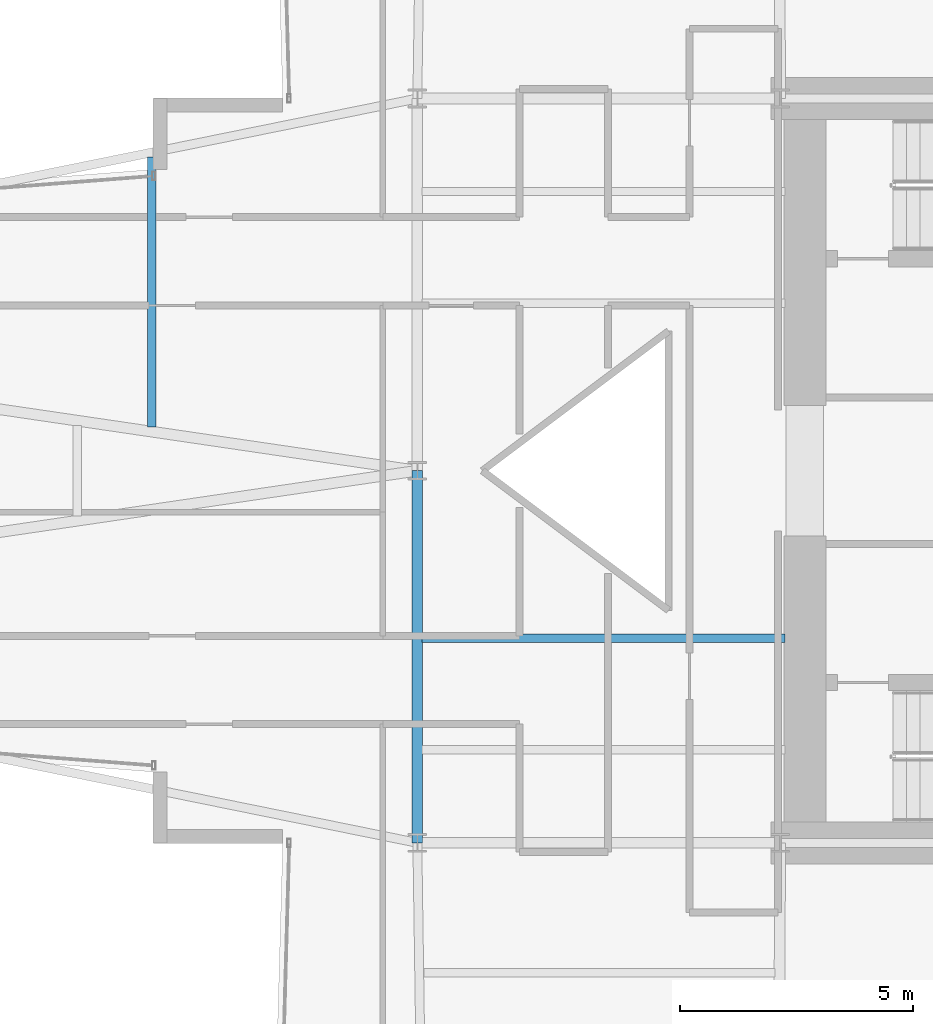
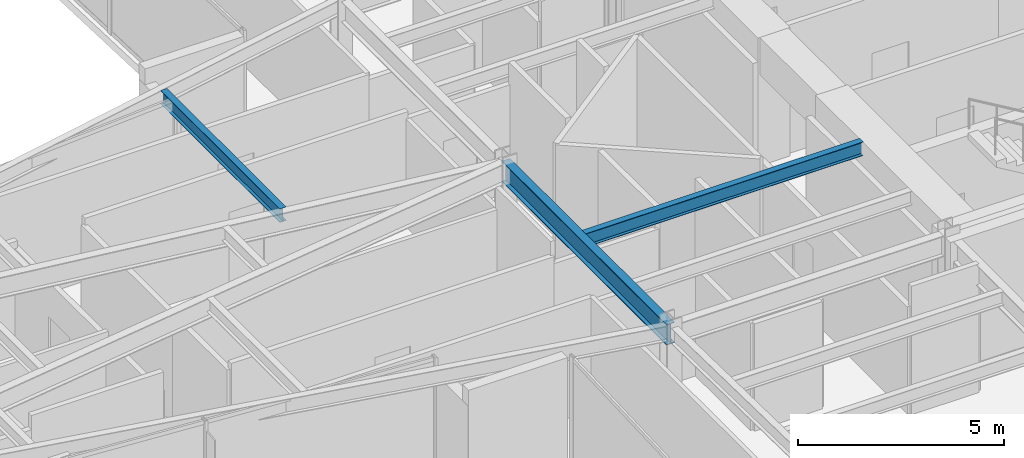
# One storey, part 11 of 30: 3 beams.
"""IFC4 building model written with IfcOpenShell, lengths in metres."""

from ifc_helpers import new_model, si_unit, direction, frame, origin, origin_2d, place, context, subcontext, project, spatial, i_section, extrude, material, material_profile, profile_set, type_object, element, save


model = new_model("IFC4")

# Units and contexts
model_context = context("Model", 3, precision=1e-05, world=origin(), true_north=direction((0.0, 1.0)))
body_context = subcontext(model_context, "Body", "Model", "MODEL_VIEW")
ifc_project = project(units=[si_unit("LENGTHUNIT", "METRE"), si_unit("AREAUNIT", "SQUARE_METRE"), si_unit("VOLUMEUNIT", "CUBIC_METRE"), si_unit("PLANEANGLEUNIT", "RADIAN"), si_unit("MASSUNIT", "GRAM", prefix="KILO")], contexts=[model_context])

# Site, building, storey
site_placement = place(None, origin())
site = spatial("IfcSite", under=ifc_project, at=site_placement, CompositionType="ELEMENT")
building_placement = place(site_placement, origin())
building = spatial("IfcBuilding", under=site, at=building_placement, Name="Veymaron Broadcast Tower", CompositionType="ELEMENT")
storey_placement = place(building_placement, frame((0.0, 0.0, 54.0)))
storey = spatial("IfcBuildingStorey", under=building, at=storey_placement, Name="L11", CompositionType="ELEMENT", Elevation=54.0)

# Beams
ifc_material = material(Name="Structural steel ASTM A992 Gr 50", Category="steel")
ifc_material_profile_1 = material_profile(ifc_material, i_section(OverallWidth=0.22998046875, OverallDepth=0.616943359375, WebThickness=0.01318359375, FlangeThickness=0.022216796875, at=origin_2d()), Name="W610X140")
ifc_profile_set_1 = profile_set([ifc_material_profile_1], Name="Structural steel ASTM A992 Gr 50")
beam_type_1 = type_object("IfcBeamType", Name="BM-FG1", PredefinedType="BEAM", material=ifc_profile_set_1)
beam_1_placement = place(storey_placement, frame((31.199951171875, 16.0, 3.50146484375), z_axis=(0.0, 1.0, 0.0), x_axis=(-1.0, 0.0, 0.0)))
element("IfcBeam", 1, at=beam_1_placement, inside=storey, type_object=beam_type_1, Name="L11 primary structural floor girder", PredefinedType="BEAM", context=body_context, shape_type="SweptSolid", body=[
    extrude(i_section(OverallWidth=0.22998046875, OverallDepth=0.616943359375, WebThickness=0.01318359375, FlangeThickness=0.022216796875, at=origin_2d()), origin(), (0.0, 0.0, 1.0), 8.0),
])
ifc_material_profile_2 = material_profile(ifc_material, i_section(OverallWidth=0.177978515625, OverallDepth=0.406982421875, WebThickness=0.0078125, FlangeThickness=0.0126953125, at=origin_2d()), Name="W410X60")
ifc_profile_set_2 = profile_set([ifc_material_profile_2], Name="Structural steel ASTM A992 Gr 50")
beam_type_2 = type_object("IfcBeamType", Name="BM-JS1", PredefinedType="JOIST", material=ifc_profile_set_2)
beam_2_placement = place(storey_placement, frame((25.488037109375, 24.93994140625, 3.6064453125), z_axis=(0.0, 1.0, 0.0), x_axis=(-1.0, 0.0, 0.0)))
element("IfcBeam", 2, at=beam_2_placement, inside=storey, type_object=beam_type_2, Name="L11 Arm-A secondary joist 2N", PredefinedType="JOIST", context=body_context, shape_type="SweptSolid", body=[
    extrude(i_section(OverallWidth=0.177978515625, OverallDepth=0.406982421875, WebThickness=0.0078125, FlangeThickness=0.0126953125, at=origin_2d()), origin(), (0.0, 0.0, 1.0), 5.800048828125),
])
beam_3_placement = place(storey_placement, frame((31.300048828125, 20.39990234375, 3.6064453125), z_axis=(1.0, 0.0, 0.0), x_axis=(0.0, 1.0, 0.0)))
element("IfcBeam", 3, at=beam_3_placement, inside=storey, type_object=beam_type_2, Name="L11 Hub secondary joist 2", PredefinedType="JOIST", context=body_context, shape_type="SweptSolid", body=[
    extrude(i_section(OverallWidth=0.177978515625, OverallDepth=0.406982421875, WebThickness=0.0078125, FlangeThickness=0.0126953125, at=origin_2d()), origin(), (0.0, 0.0, 1.0), 7.800048828125),
])

save(model, "model.ifc")
